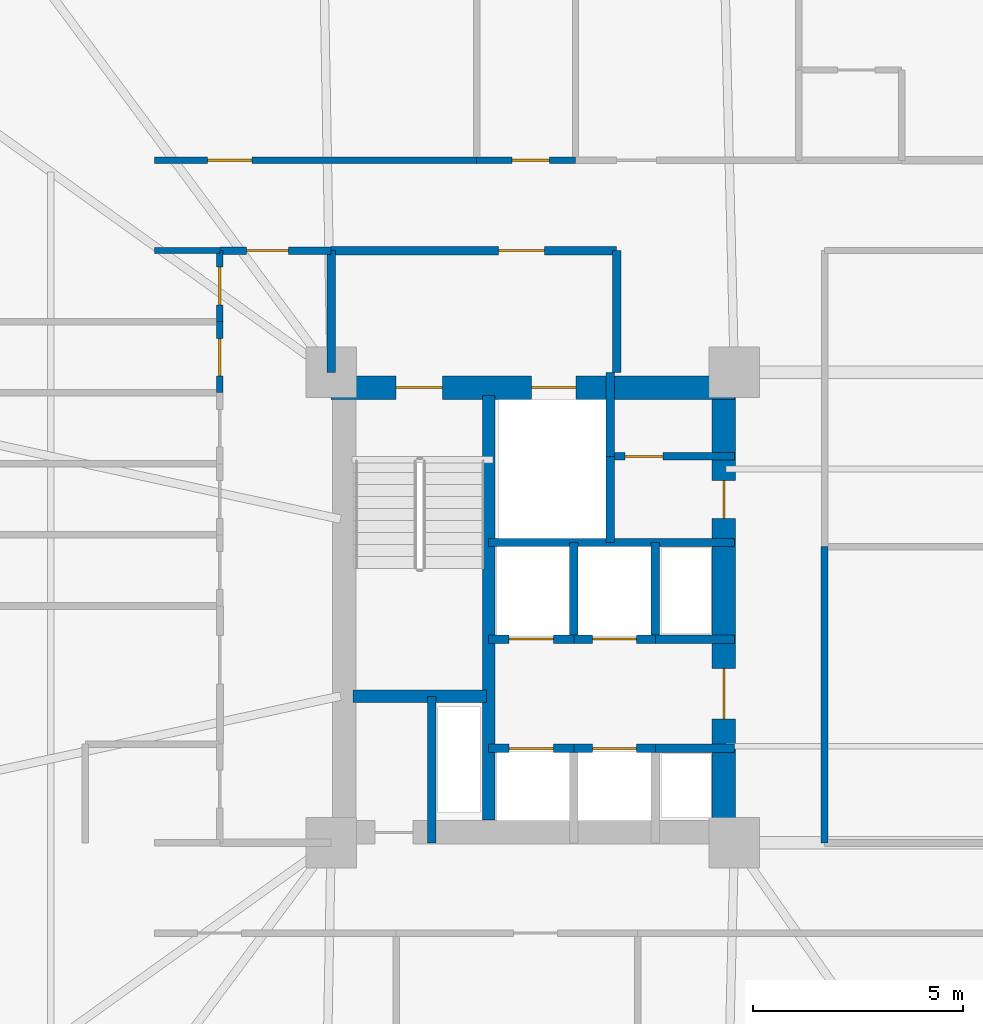
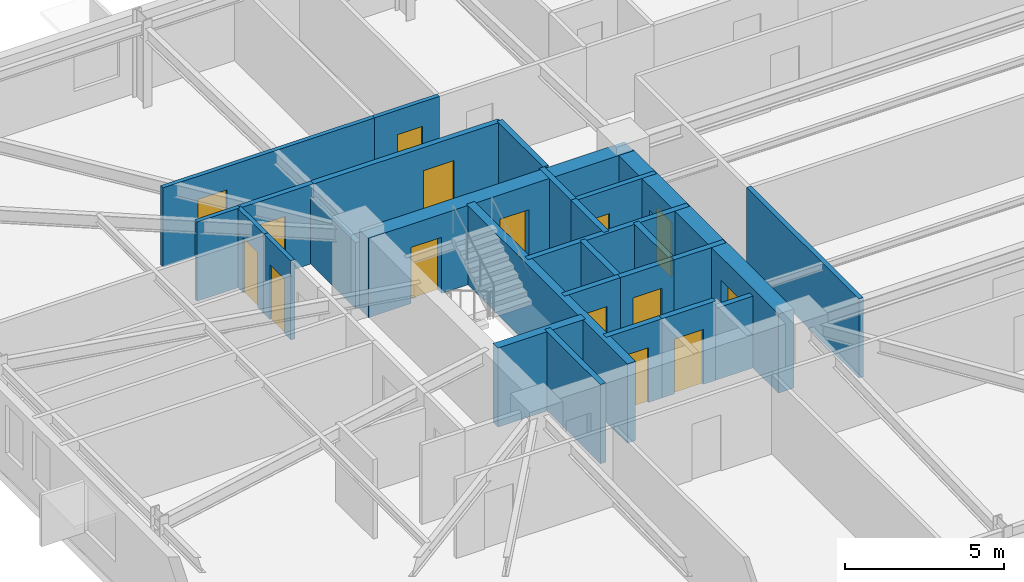
# One storey, part 19 of 24: 27 walls, 15 doors, 15 openings.
"""IFC4 building model written with IfcOpenShell, lengths in metres."""

from ifc_helpers import new_model, si_unit, direction, frame, frame_2d, origin, place, context, subcontext, project, spatial, rectangle, extrude, material, layer, layer_set, type_object, element, fill, save


model = new_model("IFC4")

# Units and contexts
model_context = context("Model", 3, precision=1e-05, world=origin(), true_north=direction((0.0, 1.0)))
body_context = subcontext(model_context, "Body", "Model", "MODEL_VIEW")
ifc_project = project(units=[si_unit("LENGTHUNIT", "METRE"), si_unit("AREAUNIT", "SQUARE_METRE"), si_unit("VOLUMEUNIT", "CUBIC_METRE"), si_unit("PLANEANGLEUNIT", "RADIAN"), si_unit("MASSUNIT", "GRAM", prefix="KILO")], contexts=[model_context])

# Site, building, storey
site_placement = place(None, origin())
site = spatial("IfcSite", under=ifc_project, at=site_placement, CompositionType="ELEMENT")
building_placement = place(site_placement, origin())
building = spatial("IfcBuilding", under=site, at=building_placement, Name="Qobustan Lattice House", CompositionType="ELEMENT")
storey_placement = place(building_placement, frame((0.0, 0.0, 43.75)))
storey = spatial("IfcBuildingStorey", under=building, at=storey_placement, Name="L11", CompositionType="ELEMENT", Elevation=43.75)

# Wall, openings, doors
ifc_material_1 = material(Name="Concrete C60/75", Category="concrete")
ifc_layer_1 = layer(ifc_material_1, 0.56005859375)
ifc_layer_set_1 = layer_set([ifc_layer_1], Name="Concrete C60/75")
wall_type_1 = type_object("IfcWallType", Name="WAL-CORE-600", PredefinedType="SHEAR", material=ifc_layer_set_1)
wall_1_placement = place(storey_placement, frame((-18.800048828125, 5.239990234375, 0.0), z_axis=(0.0, 0.0, 1.0), x_axis=(1.0, 0.0, 0.0)))
wall_1 = element("IfcWall", 1, at=wall_1_placement, inside=storey, type_object=wall_type_1, Name="L11 split-core shear wall CW-N", PredefinedType="SHEAR", context=body_context, shape_type="SweptSolid", body=[
    extrude(rectangle(XDim=9.60009765625, YDim=0.56005859375, at=frame_2d((4.800048828125, 0.0))), origin(), (0.0, 0.0, 1.0), 3.034912109375),
])
opening_1_placement = place(wall_1_placement, frame((1.550048828125, 0.0, 0.0)))
opening_1 = element("IfcOpeningElement", 2, at=opening_1_placement, cuts=wall_1, Name="Opening SD-01", PredefinedType="OPENING", context=body_context, shape_type="SweptSolid", body=[
    extrude(rectangle(XDim=1.10009765625, YDim=2.14990234375, at=frame_2d((0.550048828125, 1.074951171875))), frame((0.0, 0.2900390625, 0.0), z_axis=(0.0, -1.0, 0.0), x_axis=(1.0, 0.0, 0.0)), (0.0, 0.0, 1.0), 0.580078125),
])
opening_2_placement = place(wall_1_placement, frame((4.77490234375, 0.0, 0.0)))
opening_2 = element("IfcOpeningElement", 3, at=opening_2_placement, cuts=wall_1, Name="Opening LD-01", PredefinedType="OPENING", context=body_context, shape_type="SweptSolid", body=[
    extrude(rectangle(XDim=1.050048828125, YDim=2.10009765625, at=frame_2d((0.52490234375, 1.050048828125))), frame((0.0, 0.2900390625, 0.0), z_axis=(0.0, -1.0, 0.0), x_axis=(1.0, 0.0, 0.0)), (0.0, 0.0, 1.0), 0.580078125),
])
ifc_material_2 = material(Name="Persian walnut timber and steel frame door", Category="steel")
door_type_1 = type_object("IfcDoorType", Name="DOR-LIFT-LD-1050x2100", OperationType="NOTDEFINED", PredefinedType="DOOR", material=ifc_material_2)
door_1_placement = place(opening_2_placement, origin())
door_1 = element("IfcDoor", 4, at=door_1_placement, inside=storey, type_object=door_type_1, Name="L11 firefighting lift FF-W landing door", OperationType="DOUBLE_DOOR_SLIDING", OverallHeight=2.10009765625, OverallWidth=1.050048828125, PredefinedType="DOOR", context=body_context, shape_type="SweptSolid", body=[
    extrude(rectangle(XDim=1.050048828125, YDim=2.10009765625, at=frame_2d((0.52490234375, 1.050048828125))), frame((0.0, 0.02490234375, 0.0), z_axis=(0.0, -1.0, 0.0), x_axis=(1.0, 0.0, 0.0)), (0.0, 0.0, 1.0), 0.050048828125),
])
fill(opening_2, door_1)
ifc_material_3 = material(Name="Persian walnut timber and steel frame door", Category="steel")
door_type_2 = type_object("IfcDoorType", Name="DOR-STAIR-FD-1100x2150", OperationType="NOTDEFINED", PredefinedType="DOOR", material=ifc_material_3)
door_2_placement = place(opening_1_placement, origin())
door_2 = element("IfcDoor", 5, at=door_2_placement, inside=storey, type_object=door_type_2, Name="L11 exit stair ST-W1 fire door", OperationType="SINGLE_SWING_LEFT", OverallHeight=2.14990234375, OverallWidth=1.10009765625, PredefinedType="DOOR", context=body_context, shape_type="SweptSolid", body=[
    extrude(rectangle(XDim=1.10009765625, YDim=2.14990234375, at=frame_2d((0.550048828125, 1.074951171875))), frame((0.0, 0.02490234375, 0.0), z_axis=(0.0, -1.0, 0.0), x_axis=(1.0, 0.0, 0.0)), (0.0, 0.0, 1.0), 0.050048828125),
])
fill(opening_1, door_2)

wall_2_placement = place(storey_placement, frame((-9.449951171875, -5.050048828125, 0.0), z_axis=(0.0, 0.0, 1.0), x_axis=(0.0, 1.0, 0.0)))
wall_2 = element("IfcWall", 6, at=wall_2_placement, inside=storey, type_object=wall_type_1, Name="L11 split-core shear wall CW-E", PredefinedType="SHEAR", context=body_context, shape_type="SweptSolid", body=[
    extrude(rectangle(XDim=10.10009765625, YDim=0.56005859375, at=frame_2d((5.050048828125, 0.0))), origin(), (0.0, 0.0, 1.0), 3.034912109375),
])
opening_3_placement = place(wall_2_placement, frame((7.175048828125, 0.0, 0.0)))
opening_3 = element("IfcOpeningElement", 7, at=opening_3_placement, cuts=wall_2, Name="Opening RD-01", PredefinedType="OPENING", context=body_context, shape_type="SweptSolid", body=[
    extrude(rectangle(XDim=0.89990234375, YDim=2.10009765625, at=frame_2d((0.449951171875, 1.050048828125))), frame((0.0, 0.2900390625, 0.0), z_axis=(0.0, -1.0, 0.0), x_axis=(1.0, 0.0, 0.0)), (0.0, 0.0, 1.0), 0.580078125),
])
opening_4_placement = place(wall_2_placement, frame((2.39990234375, 0.0, 0.0)))
opening_4 = element("IfcOpeningElement", 8, at=opening_4_placement, cuts=wall_2, Name="Opening FD-01", PredefinedType="OPENING", context=body_context, shape_type="SweptSolid", body=[
    extrude(rectangle(XDim=1.199951171875, YDim=2.14990234375, at=frame_2d((0.60009765625, 1.074951171875))), frame((0.0, 0.2900390625, 0.0), z_axis=(0.0, -1.0, 0.0), x_axis=(1.0, 0.0, 0.0)), (0.0, 0.0, 1.0), 0.580078125),
])
ifc_material_4 = material(Name="Persian walnut timber and steel frame door", Category="steel")
door_type_3 = type_object("IfcDoorType", Name="DOR-LOBBY-FD-1200x2150", OperationType="NOTDEFINED", PredefinedType="DOOR", material=ifc_material_4)
door_3_placement = place(opening_4_placement, origin())
door_3 = element("IfcDoor", 9, at=door_3_placement, inside=storey, type_object=door_type_3, Name="L11 West passenger lift lobby fire door", OperationType="SINGLE_SWING_RIGHT", OverallHeight=2.14990234375, OverallWidth=1.199951171875, PredefinedType="DOOR", context=body_context, shape_type="SweptSolid", body=[
    extrude(rectangle(XDim=1.199951171875, YDim=2.14990234375, at=frame_2d((0.60009765625, 1.074951171875))), frame((0.0, 0.02490234375, 0.0), z_axis=(0.0, -1.0, 0.0), x_axis=(1.0, 0.0, 0.0)), (0.0, 0.0, 1.0), 0.050048828125),
])
fill(opening_4, door_3)
ifc_material_5 = material(Name="Persian walnut timber and steel frame door", Category="steel")
door_type_4 = type_object("IfcDoorType", Name="DOR-RISER-FD-900x2100", OperationType="NOTDEFINED", PredefinedType="DOOR", material=ifc_material_5)
door_4_placement = place(opening_3_placement, origin())
door_4 = element("IfcDoor", 10, at=door_4_placement, inside=storey, type_object=door_type_4, Name="L11 Core utility lobby fire door", OperationType="SINGLE_SWING_LEFT", OverallHeight=2.10009765625, OverallWidth=0.89990234375, PredefinedType="DOOR", context=body_context, shape_type="SweptSolid", body=[
    extrude(rectangle(XDim=0.89990234375, YDim=2.10009765625, at=frame_2d((0.449951171875, 1.050048828125))), frame((0.0, 0.02490234375, 0.0), z_axis=(0.0, -1.0, 0.0), x_axis=(1.0, 0.0, 0.0)), (0.0, 0.0, 1.0), 0.050048828125),
])
fill(opening_3, door_4)

# Walls
ifc_material_6 = material(Name="Concrete C50/60", Category="concrete")
ifc_layer_2 = layer(ifc_material_6, 0.280029296875)
ifc_layer_set_2 = layer_set([ifc_layer_2], Name="Concrete C50/60")
wall_type_2 = type_object("IfcWallType", Name="WAL-CORE-SPINE-280", PredefinedType="SHEAR", material=ifc_layer_set_2)
wall_3_placement = place(storey_placement, frame((-15.050048828125, -5.050048828125, 0.0), z_axis=(0.0, 0.0, 1.0), x_axis=(0.0, 1.0, 0.0)))
element("IfcWall", 11, at=wall_3_placement, inside=storey, type_object=wall_type_2, Name="L11 split-core shear wall CW-M", PredefinedType="SHEAR", context=body_context, shape_type="SweptSolid", body=[
    extrude(rectangle(XDim=10.10009765625, YDim=0.300048828125, at=frame_2d((5.050048828125, 0.0))), origin(), (0.0, 0.0, 1.0), 3.034912109375),
])
wall_4_placement = place(storey_placement, frame((-18.280029296875, -2.110107421875, 0.0), z_axis=(0.0, 0.0, 1.0), x_axis=(1.0, 0.0, 0.0)))
element("IfcWall", 12, at=wall_4_placement, inside=storey, type_object=wall_type_2, Name="L11 split-core shear wall CW-ST", PredefinedType="SHEAR", context=body_context, shape_type="SweptSolid", body=[
    extrude(rectangle(XDim=3.179931640625, YDim=0.300048828125, at=frame_2d((1.58984375, 0.0))), origin(), (0.0, 0.0, 1.0), 3.034912109375),
])

# Wall, opening, door
ifc_material_7 = material(Name="Gypsum fireboard acoustic partition", Category="gypsum")
ifc_layer_3 = layer(ifc_material_7, 0.179931640625)
ifc_layer_set_3 = layer_set([ifc_layer_3], Name="Gypsum fireboard acoustic partition")
wall_type_3 = type_object("IfcWallType", Name="WAL-FIRE-180", PredefinedType="PARTITIONING", material=ifc_layer_set_3)
wall_5_placement = place(storey_placement, frame((-9.199951171875, 3.60009765625, 0.0), z_axis=(0.0, 0.0, 1.0), x_axis=(-1.0, 0.0, 0.0)))
wall_5 = element("IfcWall", 13, at=wall_5_placement, inside=storey, type_object=wall_type_3, Name="L11 interior partition 7", PredefinedType="PARTITIONING", context=body_context, shape_type="SweptSolid", body=[
    extrude(rectangle(XDim=2.949951171875, YDim=0.179931640625, at=frame_2d((1.47509765625, 0.0))), origin(), (0.0, 0.0, 1.0), 3.034912109375),
])
opening_5_placement = place(wall_5_placement, frame((1.699951171875, 0.0, 0.0)))
opening_5 = element("IfcOpeningElement", 14, at=opening_5_placement, cuts=wall_5, Name="Opening RD-01", PredefinedType="OPENING", context=body_context, shape_type="SweptSolid", body=[
    extrude(rectangle(XDim=0.89990234375, YDim=2.10009765625, at=frame_2d((0.449951171875, 1.050048828125))), frame((0.0, 0.099853515625, 0.0), z_axis=(0.0, -1.0, 0.0), x_axis=(1.0, 0.0, 0.0)), (0.0, 0.0, 1.0), 0.199951171875),
])
door_5_placement = place(opening_5_placement, origin())
door_5 = element("IfcDoor", 15, at=door_5_placement, inside=storey, type_object=door_type_4, Name="L11 Core utility lobby to Cleaner store door", OperationType="SINGLE_SWING_RIGHT", OverallHeight=2.10009765625, OverallWidth=0.89990234375, PredefinedType="DOOR", context=body_context, shape_type="SweptSolid", body=[
    extrude(rectangle(XDim=0.89990234375, YDim=2.10009765625, at=frame_2d((0.449951171875, 1.050048828125))), frame((0.0, 0.02490234375, 0.0), z_axis=(0.0, -1.0, 0.0), x_axis=(1.0, 0.0, 0.0)), (0.0, 0.0, 1.0), 0.050048828125),
])
fill(opening_5, door_5)

wall_6_placement = place(storey_placement, frame((-18.800048828125, 8.5, 0.0), z_axis=(0.0, 0.0, 1.0), x_axis=(-1.0, 0.0, 0.0)))
wall_6 = element("IfcWall", 16, at=wall_6_placement, inside=storey, type_object=wall_type_3, Name="L11 interior partition 37", PredefinedType="PARTITIONING", context=body_context, shape_type="SweptSolid", body=[
    extrude(rectangle(XDim=2.64990234375, YDim=0.179931640625, at=frame_2d((1.324951171875, 0.0))), origin(), (0.0, 0.0, 1.0), 3.034912109375),
])
opening_6_placement = place(wall_6_placement, frame((1.0087890625, 0.0, 0.0)))
opening_6 = element("IfcOpeningElement", 17, at=opening_6_placement, cuts=wall_6, Name="Opening FD-02", PredefinedType="OPENING", context=body_context, shape_type="SweptSolid", body=[
    extrude(rectangle(XDim=1.0, YDim=2.14990234375, at=frame_2d((0.5, 1.074951171875))), frame((0.0, 0.099853515625, 0.0), z_axis=(0.0, -1.0, 0.0), x_axis=(1.0, 0.0, 0.0)), (0.0, 0.0, 1.0), 0.199951171875),
])
ifc_material_8 = material(Name="Persian walnut timber and steel frame door", Category="steel")
door_type_5 = type_object("IfcDoorType", Name="DOR-UNIT-FD-1000x2150", OperationType="NOTDEFINED", PredefinedType="DOOR", material=ifc_material_8)
door_6_placement = place(opening_6_placement, origin())
door_6 = element("IfcDoor", 18, at=door_6_placement, inside=storey, type_object=door_type_5, Name="L11 North-west floor corridor to Residence entrance hall L11W door", OperationType="SINGLE_SWING_RIGHT", OverallHeight=2.14990234375, OverallWidth=1.0, PredefinedType="DOOR", context=body_context, shape_type="SweptSolid", body=[
    extrude(rectangle(XDim=1.0, YDim=2.14990234375, at=frame_2d((0.5, 1.074951171875))), frame((0.0, 0.02490234375, 0.0), z_axis=(0.0, -1.0, 0.0), x_axis=(1.0, 0.0, 0.0)), (0.0, 0.0, 1.0), 0.050048828125),
])
fill(opening_6, door_6)

# Wall
ifc_material_9 = material(Name="Acoustic twin-stud gypsum partition", Category="gypsum")
ifc_layer_4 = layer(ifc_material_9, 0.14990234375)
ifc_layer_set_4 = layer_set([ifc_layer_4], Name="Acoustic twin-stud gypsum partition")
wall_type_4 = type_object("IfcWallType", Name="WAL-PART-150", PredefinedType="PARTITIONING", material=ifc_layer_set_4)
wall_7_placement = place(storey_placement, frame((-21.449951171875, 8.5, 0.0), z_axis=(0.0, 0.0, 1.0), x_axis=(-1.0, 0.0, 0.0)))
element("IfcWall", 19, at=wall_7_placement, inside=storey, type_object=wall_type_4, Name="L11 interior partition 38", PredefinedType="PARTITIONING", context=body_context, shape_type="SweptSolid", body=[
    extrude(rectangle(XDim=1.550048828125, YDim=0.14990234375, at=frame_2d((0.77490234375, 0.0))), origin(), (0.0, 0.0, 1.0), 3.034912109375),
])

# Wall, opening, door
wall_8_placement = place(storey_placement, frame((-23.0, 10.64990234375, 0.0), z_axis=(0.0, 0.0, 1.0), x_axis=(1.0, 0.0, 0.0)))
wall_8 = element("IfcWall", 20, at=wall_8_placement, inside=storey, type_object=wall_type_4, Name="L11 interior partition 39", PredefinedType="PARTITIONING", context=body_context, shape_type="SweptSolid", body=[
    extrude(rectangle(XDim=7.6669921875, YDim=0.14990234375, at=frame_2d((3.83349609375, 0.0))), origin(), (0.0, 0.0, 1.0), 3.034912109375),
])
opening_7_placement = place(wall_8_placement, frame((1.26220703125, 0.0, 0.0)))
opening_7 = element("IfcOpeningElement", 21, at=opening_7_placement, cuts=wall_8, Name="Opening ID-02", PredefinedType="OPENING", context=body_context, shape_type="SweptSolid", body=[
    extrude(rectangle(XDim=1.050048828125, YDim=2.14990234375, at=frame_2d((0.52490234375, 1.074951171875))), frame((0.0, 0.0849609375, 0.0), z_axis=(0.0, -1.0, 0.0), x_axis=(1.0, 0.0, 0.0)), (0.0, 0.0, 1.0), 0.169921875),
])
ifc_material_10 = material(Name="Persian walnut timber and steel frame door", Category="steel")
door_type_6 = type_object("IfcDoorType", Name="DOR-STUDY-1050x2150", OperationType="NOTDEFINED", PredefinedType="DOOR", material=ifc_material_10)
door_7_placement = place(opening_7_placement, origin())
door_7 = element("IfcDoor", 22, at=door_7_placement, inside=storey, type_object=door_type_6, Name="L11 North-west floor corridor to Focus study room N1 door", OperationType="SINGLE_SWING_LEFT", OverallHeight=2.14990234375, OverallWidth=1.050048828125, PredefinedType="DOOR", context=body_context, shape_type="SweptSolid", body=[
    extrude(rectangle(XDim=1.050048828125, YDim=2.14990234375, at=frame_2d((0.52490234375, 1.074951171875))), frame((0.0, 0.02490234375, 0.0), z_axis=(0.0, -1.0, 0.0), x_axis=(1.0, 0.0, 0.0)), (0.0, 0.0, 1.0), 0.050048828125),
])
fill(opening_7, door_7)

wall_9_placement = place(storey_placement, frame((-21.449951171875, 5.115966796875, 0.0), z_axis=(0.0, 0.0, 1.0), x_axis=(0.0, 1.0, 0.0)))
wall_9 = element("IfcWall", 23, at=wall_9_placement, inside=storey, type_object=wall_type_4, Name="L11 interior partition 74", PredefinedType="PARTITIONING", context=body_context, shape_type="SweptSolid", body=[
    extrude(rectangle(XDim=1.692138671875, YDim=0.14990234375, at=frame_2d((0.84619140625, 0.0))), origin(), (0.0, 0.0, 1.0), 3.034912109375),
])
opening_8_placement = place(wall_9_placement, frame((0.39599609375, 0.0, 0.0)))
opening_8 = element("IfcOpeningElement", 24, at=opening_8_placement, cuts=wall_9, Name="Opening WD-01", PredefinedType="OPENING", context=body_context, shape_type="SweptSolid", body=[
    extrude(rectangle(XDim=0.89990234375, YDim=2.10009765625, at=frame_2d((0.449951171875, 1.050048828125))), frame((0.0, 0.0849609375, 0.0), z_axis=(0.0, -1.0, 0.0), x_axis=(1.0, 0.0, 0.0)), (0.0, 0.0, 1.0), 0.169921875),
])
ifc_material_11 = material(Name="Persian walnut timber and steel frame door", Category="steel")
door_type_7 = type_object("IfcDoorType", Name="DOR-WET-900x2100", OperationType="NOTDEFINED", PredefinedType="DOOR", material=ifc_material_11)
door_8_placement = place(opening_8_placement, origin())
door_8 = element("IfcDoor", 25, at=door_8_placement, inside=storey, type_object=door_type_7, Name="L11 Residence entrance hall L11W to Cluster bedroom L11W4 door", OperationType="SINGLE_SWING_RIGHT", OverallHeight=2.10009765625, OverallWidth=0.89990234375, PredefinedType="DOOR", context=body_context, shape_type="SweptSolid", body=[
    extrude(rectangle(XDim=0.89990234375, YDim=2.10009765625, at=frame_2d((0.449951171875, 1.050048828125))), frame((0.0, 0.02490234375, 0.0), z_axis=(0.0, -1.0, 0.0), x_axis=(1.0, 0.0, 0.0)), (0.0, 0.0, 1.0), 0.050048828125),
])
fill(opening_8, door_8)

wall_10_placement = place(storey_placement, frame((-21.449951171875, 6.80810546875, 0.0), z_axis=(0.0, 0.0, 1.0), x_axis=(0.0, 1.0, 0.0)))
wall_10 = element("IfcWall", 26, at=wall_10_placement, inside=storey, type_object=wall_type_4, Name="L11 interior partition 75", PredefinedType="PARTITIONING", context=body_context, shape_type="SweptSolid", body=[
    extrude(rectangle(XDim=1.69189453125, YDim=0.14990234375, at=frame_2d((0.845947265625, 0.0))), origin(), (0.0, 0.0, 1.0), 3.034912109375),
])
opening_9_placement = place(wall_10_placement, frame((0.39599609375, 0.0, 0.0)))
opening_9 = element("IfcOpeningElement", 27, at=opening_9_placement, cuts=wall_10, Name="Opening WD-01", PredefinedType="OPENING", context=body_context, shape_type="SweptSolid", body=[
    extrude(rectangle(XDim=0.89990234375, YDim=2.10009765625, at=frame_2d((0.449951171875, 1.050048828125))), frame((0.0, 0.0849609375, 0.0), z_axis=(0.0, -1.0, 0.0), x_axis=(1.0, 0.0, 0.0)), (0.0, 0.0, 1.0), 0.169921875),
])
door_9_placement = place(opening_9_placement, origin())
door_9 = element("IfcDoor", 28, at=door_9_placement, inside=storey, type_object=door_type_7, Name="L11 Residence entrance hall L11W to Cluster bedroom L11W5 door", OperationType="SINGLE_SWING_LEFT", OverallHeight=2.10009765625, OverallWidth=0.89990234375, PredefinedType="DOOR", context=body_context, shape_type="SweptSolid", body=[
    extrude(rectangle(XDim=0.89990234375, YDim=2.10009765625, at=frame_2d((0.449951171875, 1.050048828125))), frame((0.0, 0.02490234375, 0.0), z_axis=(0.0, -1.0, 0.0), x_axis=(1.0, 0.0, 0.0)), (0.0, 0.0, 1.0), 0.050048828125),
])
fill(opening_9, door_9)

# Wall
ifc_material_12 = material(Name="High-mass acoustic twin-stud partition", Category="gypsum")
ifc_layer_5 = layer(ifc_material_12, 0.1650390625)
ifc_layer_set_5 = layer_set([ifc_layer_5], Name="High-mass acoustic twin-stud partition")
wall_type_5 = type_object("IfcWallType", Name="WAL-PART-165", PredefinedType="PARTITIONING", material=ifc_layer_set_5)
wall_11_placement = place(storey_placement, frame((-7.050048828125, 1.449951171875, 0.0), z_axis=(0.0, 0.0, 1.0), x_axis=(0.0, -1.0, 0.0)))
element("IfcWall", 29, at=wall_11_placement, inside=storey, type_object=wall_type_5, Name="L11 interior partition 65", PredefinedType="PARTITIONING", context=body_context, shape_type="SweptSolid", body=[
    extrude(rectangle(XDim=7.050048828125, YDim=0.1650390625, at=frame_2d((3.52490234375, 0.0))), origin(), (0.0, 0.0, 1.0), 3.034912109375),
])

# Wall, opening, door
ifc_material_13 = material(Name="Two-hour gypsum fireboard acoustic partition", Category="gypsum")
ifc_layer_6 = layer(ifc_material_13, 0.199951171875)
ifc_layer_set_6 = layer_set([ifc_layer_6], Name="Two-hour gypsum fireboard acoustic partition")
wall_type_6 = type_object("IfcWallType", Name="WAL-PROT-200", PredefinedType="PARTITIONING", material=ifc_layer_set_6)
wall_12_placement = place(storey_placement, frame((-12.0, 8.5, 0.0), z_axis=(0.0, 0.0, 1.0), x_axis=(-1.0, 0.0, 0.0)))
wall_12 = element("IfcWall", 30, at=wall_12_placement, inside=storey, type_object=wall_type_6, Name="L11 interior partition 4", PredefinedType="PARTITIONING", context=body_context, shape_type="SweptSolid", body=[
    extrude(rectangle(XDim=6.800048828125, YDim=0.199951171875, at=frame_2d((3.39990234375, 0.0))), origin(), (0.0, 0.0, 1.0), 3.034912109375),
])
opening_10_placement = place(wall_12_placement, frame((1.715087890625, 0.0, 0.0)))
opening_10 = element("IfcOpeningElement", 31, at=opening_10_placement, cuts=wall_12, Name="Opening SD-01", PredefinedType="OPENING", context=body_context, shape_type="SweptSolid", body=[
    extrude(rectangle(XDim=1.10009765625, YDim=2.14990234375, at=frame_2d((0.550048828125, 1.074951171875))), frame((0.0, 0.10986328125, 0.0), z_axis=(0.0, -1.0, 0.0), x_axis=(1.0, 0.0, 0.0)), (0.0, 0.0, 1.0), 0.219970703125),
])
door_10_placement = place(opening_10_placement, origin())
door_10 = element("IfcDoor", 32, at=door_10_placement, inside=storey, type_object=door_type_2, Name="L11 West firefighting lift lobby to North-west floor corridor door", OperationType="SINGLE_SWING_LEFT", OverallHeight=2.14990234375, OverallWidth=1.10009765625, PredefinedType="DOOR", context=body_context, shape_type="SweptSolid", body=[
    extrude(rectangle(XDim=1.10009765625, YDim=2.14990234375, at=frame_2d((0.550048828125, 1.074951171875))), frame((0.0, 0.02490234375, 0.0), z_axis=(0.0, -1.0, 0.0), x_axis=(1.0, 0.0, 0.0)), (0.0, 0.0, 1.0), 0.050048828125),
])
fill(opening_10, door_10)

# Walls
wall_13_placement = place(storey_placement, frame((-12.0, 5.60009765625, 0.0), z_axis=(0.0, 0.0, 1.0), x_axis=(0.0, 1.0, 0.0)))
element("IfcWall", 33, at=wall_13_placement, inside=storey, type_object=wall_type_6, Name="L11 interior partition 5", PredefinedType="PARTITIONING", context=body_context, shape_type="SweptSolid", body=[
    extrude(rectangle(XDim=2.89990234375, YDim=0.199951171875, at=frame_2d((1.449951171875, 0.0))), origin(), (0.0, 0.0, 1.0), 3.034912109375),
])
wall_14_placement = place(storey_placement, frame((-18.800048828125, 8.5, 0.0), z_axis=(0.0, 0.0, 1.0), x_axis=(0.0, -1.0, 0.0)))
element("IfcWall", 34, at=wall_14_placement, inside=storey, type_object=wall_type_6, Name="L11 interior partition 6", PredefinedType="PARTITIONING", context=body_context, shape_type="SweptSolid", body=[
    extrude(rectangle(XDim=2.89990234375, YDim=0.199951171875, at=frame_2d((1.449951171875, 0.0))), origin(), (0.0, 0.0, 1.0), 2.52001953125),
])
ifc_material_14 = material(Name="Concrete C40/50", Category="concrete")
ifc_layer_7 = layer(ifc_material_14, 0.199951171875)
ifc_layer_set_7 = layer_set([ifc_layer_7], Name="Concrete C40/50")
wall_type_7 = type_object("IfcWallType", Name="WAL-SHAFT-200", PredefinedType="PARTITIONING", material=ifc_layer_set_7)
wall_15_placement = place(storey_placement, frame((-16.39990234375, -5.60009765625, 0.0), z_axis=(0.0, 0.0, 1.0), x_axis=(0.0, 1.0, 0.0)))
element("IfcWall", 35, at=wall_15_placement, inside=storey, type_object=wall_type_7, Name="L11 interior partition 1", PredefinedType="PARTITIONING", context=body_context, shape_type="SweptSolid", body=[
    extrude(rectangle(XDim=3.489990234375, YDim=0.199951171875, at=frame_2d((1.7451171875, 0.0))), origin(), (0.0, 0.0, 1.0), 3.034912109375),
])
wall_16_placement = place(storey_placement, frame((-12.14990234375, 1.550048828125, 0.0), z_axis=(0.0, 0.0, 1.0), x_axis=(0.0, 1.0, 0.0)))
element("IfcWall", 36, at=wall_16_placement, inside=storey, type_object=wall_type_7, Name="L11 interior partition 2", PredefinedType="PARTITIONING", context=body_context, shape_type="SweptSolid", body=[
    extrude(rectangle(XDim=2.050048828125, YDim=0.199951171875, at=frame_2d((1.02490234375, 0.0))), origin(), (0.0, 0.0, 1.0), 3.034912109375),
])
wall_17_placement = place(storey_placement, frame((-12.14990234375, 3.60009765625, 0.0), z_axis=(0.0, 0.0, 1.0), x_axis=(0.0, 1.0, 0.0)))
element("IfcWall", 37, at=wall_17_placement, inside=storey, type_object=wall_type_7, Name="L11 interior partition 3", PredefinedType="PARTITIONING", context=body_context, shape_type="SweptSolid", body=[
    extrude(rectangle(XDim=2.0, YDim=0.199951171875, at=frame_2d((1.0, 0.0))), origin(), (0.0, 0.0, 1.0), 3.034912109375),
])

# Wall, opening, door
wall_18_placement = place(storey_placement, frame((-15.050048828125, -3.35009765625, 0.0), z_axis=(0.0, 0.0, 1.0), x_axis=(1.0, 0.0, 0.0)))
wall_18 = element("IfcWall", 38, at=wall_18_placement, inside=storey, type_object=wall_type_7, Name="L11 interior partition 9", PredefinedType="PARTITIONING", context=body_context, shape_type="SweptSolid", body=[
    extrude(rectangle(XDim=2.030029296875, YDim=0.199951171875, at=frame_2d((1.01513671875, 0.0))), origin(), (0.0, 0.0, 1.0), 3.034912109375),
])
opening_11_placement = place(wall_18_placement, frame((0.489990234375, 0.0, 0.0)))
opening_11 = element("IfcOpeningElement", 39, at=opening_11_placement, cuts=wall_18, Name="Opening LD-01", PredefinedType="OPENING", context=body_context, shape_type="SweptSolid", body=[
    extrude(rectangle(XDim=1.050048828125, YDim=2.10009765625, at=frame_2d((0.52490234375, 1.050048828125))), frame((0.0, 0.10986328125, 0.0), z_axis=(0.0, -1.0, 0.0), x_axis=(1.0, 0.0, 0.0)), (0.0, 0.0, 1.0), 0.219970703125),
])
door_11_placement = place(opening_11_placement, origin())
door_11 = element("IfcDoor", 40, at=door_11_placement, inside=storey, type_object=door_type_1, Name="L11 lift landing door", OperationType="DOUBLE_DOOR_SLIDING", OverallHeight=2.10009765625, OverallWidth=1.050048828125, PredefinedType="DOOR", context=body_context, shape_type="SweptSolid", body=[
    extrude(rectangle(XDim=1.050048828125, YDim=2.10009765625, at=frame_2d((0.52490234375, 1.050048828125))), frame((0.0, 0.02490234375, 0.0), z_axis=(0.0, -1.0, 0.0), x_axis=(1.0, 0.0, 0.0)), (0.0, 0.0, 1.0), 0.050048828125),
])
fill(opening_11, door_11)

wall_19_placement = place(storey_placement, frame((-13.02001953125, -3.35009765625, 0.0), z_axis=(0.0, 0.0, 1.0), x_axis=(1.0, 0.0, 0.0)))
wall_19 = element("IfcWall", 41, at=wall_19_placement, inside=storey, type_object=wall_type_7, Name="L11 interior partition 10", PredefinedType="PARTITIONING", context=body_context, shape_type="SweptSolid", body=[
    extrude(rectangle(XDim=1.93994140625, YDim=0.199951171875, at=frame_2d((0.969970703125, 0.0))), origin(), (0.0, 0.0, 1.0), 3.034912109375),
])
opening_12_placement = place(wall_19_placement, frame((0.445068359375, 0.0, 0.0)))
opening_12 = element("IfcOpeningElement", 42, at=opening_12_placement, cuts=wall_19, Name="Opening LD-01", PredefinedType="OPENING", context=body_context, shape_type="SweptSolid", body=[
    extrude(rectangle(XDim=1.050048828125, YDim=2.10009765625, at=frame_2d((0.52490234375, 1.050048828125))), frame((0.0, 0.10986328125, 0.0), z_axis=(0.0, -1.0, 0.0), x_axis=(1.0, 0.0, 0.0)), (0.0, 0.0, 1.0), 0.219970703125),
])
door_12_placement = place(opening_12_placement, origin())
door_12 = element("IfcDoor", 43, at=door_12_placement, inside=storey, type_object=door_type_1, Name="L11 lift landing door", OperationType="DOUBLE_DOOR_SLIDING", OverallHeight=2.10009765625, OverallWidth=1.050048828125, PredefinedType="DOOR", context=body_context, shape_type="SweptSolid", body=[
    extrude(rectangle(XDim=1.050048828125, YDim=2.10009765625, at=frame_2d((0.52490234375, 1.050048828125))), frame((0.0, 0.02490234375, 0.0), z_axis=(0.0, -1.0, 0.0), x_axis=(1.0, 0.0, 0.0)), (0.0, 0.0, 1.0), 0.050048828125),
])
fill(opening_12, door_12)

# Wall
wall_20_placement = place(storey_placement, frame((-11.080078125, -3.35009765625, 0.0), z_axis=(0.0, 0.0, 1.0), x_axis=(1.0, 0.0, 0.0)))
element("IfcWall", 44, at=wall_20_placement, inside=storey, type_object=wall_type_7, Name="L11 interior partition 11", PredefinedType="PARTITIONING", context=body_context, shape_type="SweptSolid", body=[
    extrude(rectangle(XDim=1.880126953125, YDim=0.199951171875, at=frame_2d((0.93994140625, 0.0))), origin(), (0.0, 0.0, 1.0), 2.75),
])

# Wall, opening, door
wall_21_placement = place(storey_placement, frame((-13.02001953125, -0.75, 0.0), z_axis=(0.0, 0.0, 1.0), x_axis=(-1.0, 0.0, 0.0)))
wall_21 = element("IfcWall", 45, at=wall_21_placement, inside=storey, type_object=wall_type_7, Name="L11 interior partition 12", PredefinedType="PARTITIONING", context=body_context, shape_type="SweptSolid", body=[
    extrude(rectangle(XDim=2.030029296875, YDim=0.199951171875, at=frame_2d((1.01513671875, 0.0))), origin(), (0.0, 0.0, 1.0), 3.034912109375),
])
opening_13_placement = place(wall_21_placement, frame((0.489990234375, 0.0, 0.0)))
opening_13 = element("IfcOpeningElement", 46, at=opening_13_placement, cuts=wall_21, Name="Opening LD-01", PredefinedType="OPENING", context=body_context, shape_type="SweptSolid", body=[
    extrude(rectangle(XDim=1.050048828125, YDim=2.10009765625, at=frame_2d((0.52490234375, 1.050048828125))), frame((0.0, 0.10986328125, 0.0), z_axis=(0.0, -1.0, 0.0), x_axis=(1.0, 0.0, 0.0)), (0.0, 0.0, 1.0), 0.219970703125),
])
door_13_placement = place(opening_13_placement, origin())
door_13 = element("IfcDoor", 47, at=door_13_placement, inside=storey, type_object=door_type_1, Name="L11 lift landing door", OperationType="DOUBLE_DOOR_SLIDING", OverallHeight=2.10009765625, OverallWidth=1.050048828125, PredefinedType="DOOR", context=body_context, shape_type="SweptSolid", body=[
    extrude(rectangle(XDim=1.050048828125, YDim=2.10009765625, at=frame_2d((0.52490234375, 1.050048828125))), frame((0.0, 0.02490234375, 0.0), z_axis=(0.0, -1.0, 0.0), x_axis=(1.0, 0.0, 0.0)), (0.0, 0.0, 1.0), 0.050048828125),
])
fill(opening_13, door_13)

wall_22_placement = place(storey_placement, frame((-11.080078125, -0.75, 0.0), z_axis=(0.0, 0.0, 1.0), x_axis=(-1.0, 0.0, 0.0)))
wall_22 = element("IfcWall", 48, at=wall_22_placement, inside=storey, type_object=wall_type_7, Name="L11 interior partition 13", PredefinedType="PARTITIONING", context=body_context, shape_type="SweptSolid", body=[
    extrude(rectangle(XDim=1.93994140625, YDim=0.199951171875, at=frame_2d((0.969970703125, 0.0))), origin(), (0.0, 0.0, 1.0), 3.034912109375),
])
opening_14_placement = place(wall_22_placement, frame((0.445068359375, 0.0, 0.0)))
opening_14 = element("IfcOpeningElement", 49, at=opening_14_placement, cuts=wall_22, Name="Opening LD-01", PredefinedType="OPENING", context=body_context, shape_type="SweptSolid", body=[
    extrude(rectangle(XDim=1.050048828125, YDim=2.10009765625, at=frame_2d((0.52490234375, 1.050048828125))), frame((0.0, 0.10986328125, 0.0), z_axis=(0.0, -1.0, 0.0), x_axis=(1.0, 0.0, 0.0)), (0.0, 0.0, 1.0), 0.219970703125),
])
door_14_placement = place(opening_14_placement, origin())
door_14 = element("IfcDoor", 50, at=door_14_placement, inside=storey, type_object=door_type_1, Name="L11 lift landing door", OperationType="DOUBLE_DOOR_SLIDING", OverallHeight=2.10009765625, OverallWidth=1.050048828125, PredefinedType="DOOR", context=body_context, shape_type="SweptSolid", body=[
    extrude(rectangle(XDim=1.050048828125, YDim=2.10009765625, at=frame_2d((0.52490234375, 1.050048828125))), frame((0.0, 0.02490234375, 0.0), z_axis=(0.0, -1.0, 0.0), x_axis=(1.0, 0.0, 0.0)), (0.0, 0.0, 1.0), 0.050048828125),
])
fill(opening_14, door_14)

# Walls
wall_23_placement = place(storey_placement, frame((-9.199951171875, -0.75, 0.0), z_axis=(0.0, 0.0, 1.0), x_axis=(-1.0, 0.0, 0.0)))
element("IfcWall", 51, at=wall_23_placement, inside=storey, type_object=wall_type_7, Name="L11 interior partition 14", PredefinedType="PARTITIONING", context=body_context, shape_type="SweptSolid", body=[
    extrude(rectangle(XDim=1.880126953125, YDim=0.199951171875, at=frame_2d((0.93994140625, 0.0))), origin(), (0.0, 0.0, 1.0), 3.034912109375),
])
for number, where, z_axis, x_axis, name in (
    (52, (-13.02001953125, -0.75, 0.0), (0.0, 0.0, 1.0), (0.0, 1.0, 0.0), "L11 interior partition 18"),
    (53, (-11.080078125, -0.75, 0.0), (0.0, 0.0, 1.0), (0.0, 1.0, 0.0), "L11 interior partition 19"),
):
    element("IfcWall", number, at=place(storey_placement, frame(where, z_axis=z_axis, x_axis=x_axis)), inside=storey, type_object=wall_type_7, Name=name, PredefinedType="PARTITIONING", context=body_context, shape_type="SweptSolid", body=[
        extrude(rectangle(XDim=2.300048828125, YDim=0.199951171875, at=frame_2d((1.14990234375, 0.0))), origin(), (0.0, 0.0, 1.0), 3.034912109375),
    ])
wall_24_placement = place(storey_placement, frame((-15.050048828125, 1.550048828125, 0.0), z_axis=(0.0, 0.0, 1.0), x_axis=(1.0, 0.0, 0.0)))
element("IfcWall", 54, at=wall_24_placement, inside=storey, type_object=wall_type_7, Name="L11 interior partition 118", PredefinedType="PARTITIONING", context=body_context, shape_type="SweptSolid", body=[
    extrude(rectangle(XDim=5.85009765625, YDim=0.199951171875, at=frame_2d((2.925048828125, 0.0))), origin(), (0.0, 0.0, 1.0), 3.034912109375),
])

# Wall, opening, door
ifc_material_15 = material(Name="Moisture-resistant acoustic plumbing wall", Category="gypsum")
ifc_layer_8 = layer(ifc_material_15, 0.14990234375)
ifc_layer_set_8 = layer_set([ifc_layer_8], Name="Moisture-resistant acoustic plumbing wall")
wall_type_8 = type_object("IfcWallType", Name="WAL-WET-150", PredefinedType="PLUMBINGWALL", material=ifc_layer_set_8)
wall_25_placement = place(storey_placement, frame((-15.3330078125, 10.64990234375, 0.0), z_axis=(0.0, 0.0, 1.0), x_axis=(1.0, 0.0, 0.0)))
wall_25 = element("IfcWall", 55, at=wall_25_placement, inside=storey, type_object=wall_type_8, Name="L11 interior partition 40", PredefinedType="PLUMBINGWALL", context=body_context, shape_type="SweptSolid", body=[
    extrude(rectangle(XDim=2.35009765625, YDim=0.14990234375, at=frame_2d((1.175048828125, 0.0))), origin(), (0.0, 0.0, 1.0), 3.034912109375),
])
opening_15_placement = place(wall_25_placement, frame((0.833740234375, 0.0, 0.0)))
opening_15 = element("IfcOpeningElement", 56, at=opening_15_placement, cuts=wall_25, Name="Opening WD-01", PredefinedType="OPENING", context=body_context, shape_type="SweptSolid", body=[
    extrude(rectangle(XDim=0.89990234375, YDim=2.10009765625, at=frame_2d((0.449951171875, 1.050048828125))), frame((0.0, 0.0849609375, 0.0), z_axis=(0.0, -1.0, 0.0), x_axis=(1.0, 0.0, 0.0)), (0.0, 0.0, 1.0), 0.169921875),
])
door_15_placement = place(opening_15_placement, origin())
door_15 = element("IfcDoor", 57, at=door_15_placement, inside=storey, type_object=door_type_7, Name="L11 North-west floor corridor to Accessible WC door", OperationType="SINGLE_SWING_RIGHT", OverallHeight=2.10009765625, OverallWidth=0.89990234375, PredefinedType="DOOR", context=body_context, shape_type="SweptSolid", body=[
    extrude(rectangle(XDim=0.89990234375, YDim=2.10009765625, at=frame_2d((0.449951171875, 1.050048828125))), frame((0.0, 0.02490234375, 0.0), z_axis=(0.0, -1.0, 0.0), x_axis=(1.0, 0.0, 0.0)), (0.0, 0.0, 1.0), 0.050048828125),
])
fill(opening_15, door_15)

save(model, "model.ifc")
